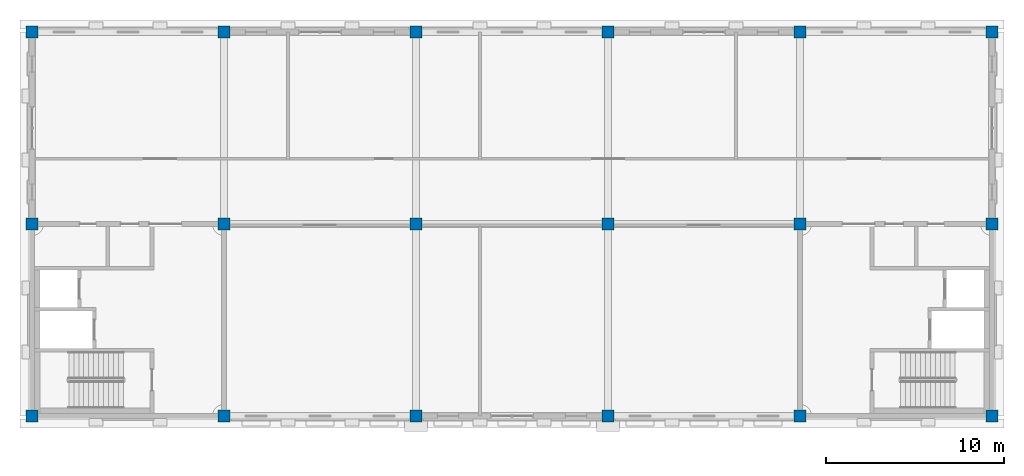
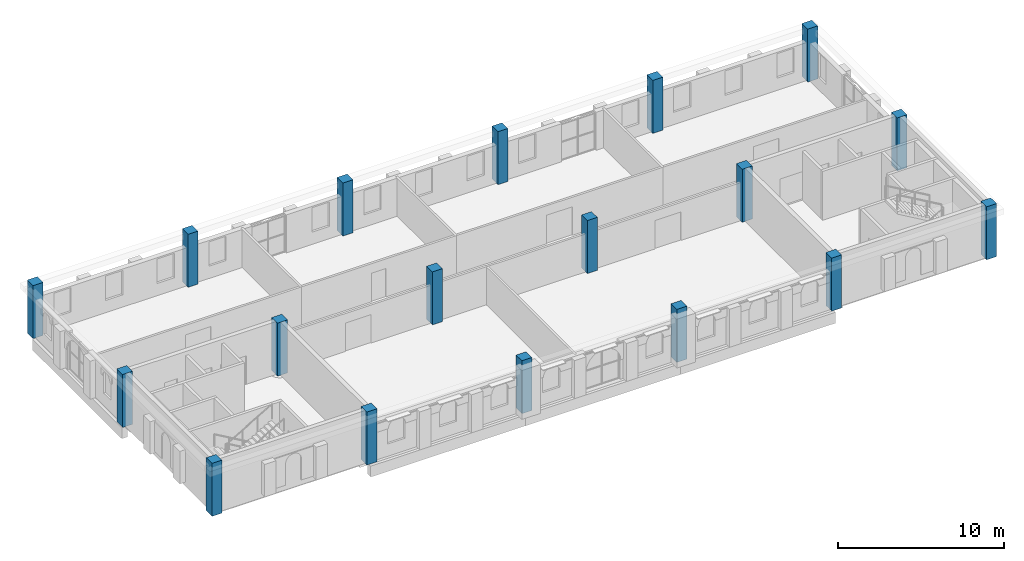
# One storey, part 1 of 17: 18 columns.
"""IFC4 building model written with IfcOpenShell, lengths in metres."""

from ifc_helpers import new_model, si_unit, direction, frame, origin, origin_2d, place, context, subcontext, project, spatial, rectangle, extrude, material, material_profile, profile_set, type_object, element, save


model = new_model("IFC4")

# Units and contexts
model_context = context("Model", 3, precision=1e-05, world=origin(), true_north=direction((0.0, 1.0)))
body_context = subcontext(model_context, "Body", "Model", "MODEL_VIEW")
ifc_project = project(units=[si_unit("LENGTHUNIT", "METRE"), si_unit("AREAUNIT", "SQUARE_METRE"), si_unit("VOLUMEUNIT", "CUBIC_METRE"), si_unit("PLANEANGLEUNIT", "RADIAN"), si_unit("MASSUNIT", "GRAM", prefix="KILO")], contexts=[model_context])

# Site, building, storey
site_placement = place(None, origin())
site = spatial("IfcSite", under=ifc_project, at=site_placement, CompositionType="ELEMENT")
building_placement = place(site_placement, origin())
building = spatial("IfcBuilding", under=site, at=building_placement, Name="Magnolia Steps Interchange", CompositionType="ELEMENT")
storey_placement = place(building_placement, frame((0.0, 0.0, 20.39990234375)))
storey = spatial("IfcBuildingStorey", under=building, at=storey_placement, Name="L05", CompositionType="ELEMENT", Elevation=20.39990234375)

# Columns
ifc_material = material(Name="Concrete C40", Category="concrete")
ifc_material_profile = material_profile(ifc_material, rectangle(XDim=0.699951171875, YDim=0.699951171875, at=origin_2d()), Name="RC700x700")
ifc_profile_set = profile_set([ifc_material_profile], Name="Concrete C40")
column_type = type_object("IfcColumnType", Name="RC column 700x700", PredefinedType="COLUMN", material=ifc_profile_set)
for number, where, z_axis, x_axis, name in (
    (1, (64.0, 96.39990234375, 0.0), (0.0, 0.0, 1.0), (1.0, 0.0, 0.0), "Column OPE-6I L05"),
    (2, (64.0, 107.199951171875, 0.0), (0.0, 0.0, 1.0), (1.0, 0.0, 0.0), "Column OPE-6J L05"),
    (3, (64.0, 118.0, 0.0), (0.0, 0.0, 1.0), (1.0, 0.0, 0.0), "Column OPE-6K L05"),
    (4, (74.800048828125, 96.39990234375, 0.0), (0.0, 0.0, 1.0), (1.0, 0.0, 0.0), "Column OPE-7I L05"),
    (5, (74.800048828125, 107.199951171875, 0.0), (0.0, 0.0, 1.0), (1.0, 0.0, 0.0), "Column OPE-7J L05"),
    (6, (74.800048828125, 118.0, 0.0), (0.0, 0.0, 1.0), (1.0, 0.0, 0.0), "Column OPE-7K L05"),
    (7, (85.60009765625, 96.39990234375, 0.0), (0.0, 0.0, 1.0), (1.0, 0.0, 0.0), "Column OPE-8I L05"),
    (8, (85.60009765625, 107.199951171875, 0.0), (0.0, 0.0, 1.0), (1.0, 0.0, 0.0), "Column OPE-8J L05"),
    (9, (85.60009765625, 118.0, 0.0), (0.0, 0.0, 1.0), (1.0, 0.0, 0.0), "Column OPE-8K L05"),
    (10, (96.39990234375, 96.39990234375, 0.0), (0.0, 0.0, 1.0), (1.0, 0.0, 0.0), "Column OPE-9I L05"),
    (11, (96.39990234375, 107.199951171875, 0.0), (0.0, 0.0, 1.0), (1.0, 0.0, 0.0), "Column OPE-9J L05"),
    (12, (96.39990234375, 118.0, 0.0), (0.0, 0.0, 1.0), (1.0, 0.0, 0.0), "Column OPE-9K L05"),
    (13, (107.199951171875, 96.39990234375, 0.0), (0.0, 0.0, 1.0), (1.0, 0.0, 0.0), "Column OPE-10I L05"),
    (14, (107.199951171875, 107.199951171875, 0.0), (0.0, 0.0, 1.0), (1.0, 0.0, 0.0), "Column OPE-10J L05"),
    (15, (107.199951171875, 118.0, 0.0), (0.0, 0.0, 1.0), (1.0, 0.0, 0.0), "Column OPE-10K L05"),
    (16, (118.0, 96.39990234375, 0.0), (0.0, 0.0, 1.0), (1.0, 0.0, 0.0), "Column OPE-11I L05"),
    (17, (118.0, 107.199951171875, 0.0), (0.0, 0.0, 1.0), (1.0, 0.0, 0.0), "Column OPE-11J L05"),
    (18, (118.0, 118.0, 0.0), (0.0, 0.0, 1.0), (1.0, 0.0, 0.0), "Column OPE-11K L05"),
):
    element("IfcColumn", number, at=place(storey_placement, frame(where, z_axis=z_axis, x_axis=x_axis)), inside=storey, type_object=column_type, Name=name, PredefinedType="COLUMN", context=body_context, shape_type="SweptSolid", body=[
        extrude(rectangle(XDim=0.699951171875, YDim=0.699951171875, at=origin_2d()), origin(), (0.0, 0.0, 1.0), 3.900146484375),
    ])

save(model, "model.ifc")
